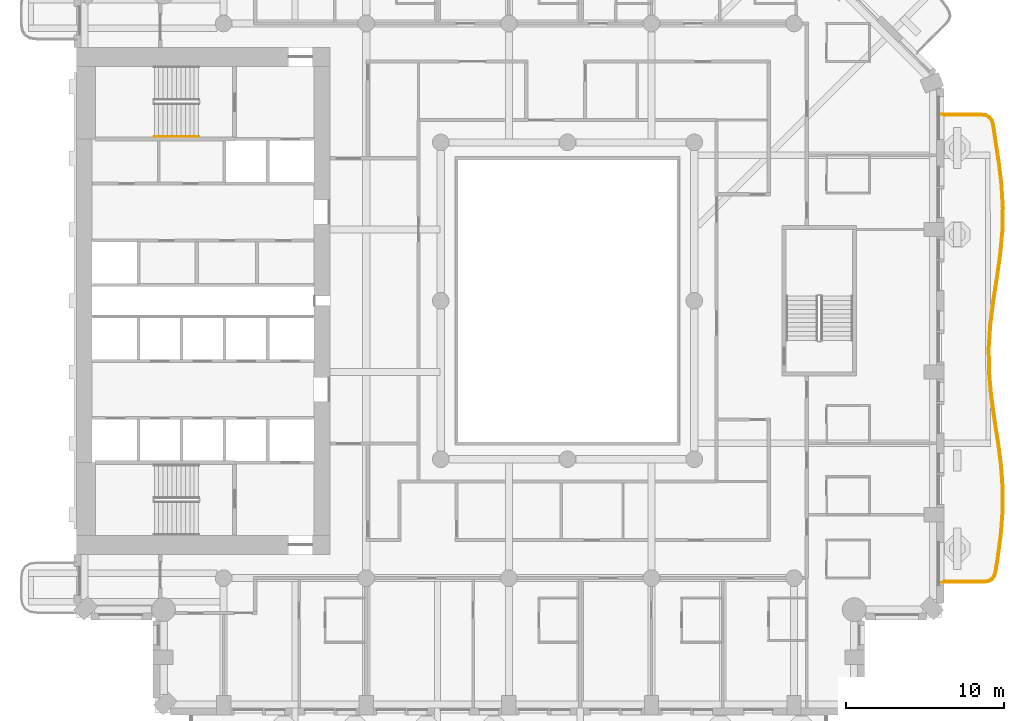
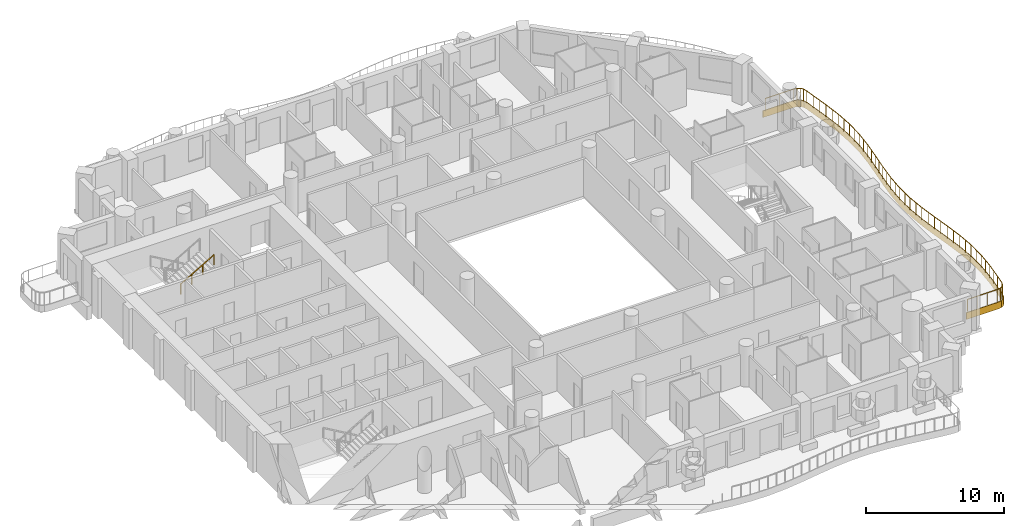
# One storey, part 16 of 20: 2 railings, 1 covering.
"""IFC4 building model written with IfcOpenShell, lengths in metres."""

from ifc_helpers import new_model, si_unit, direction, frame, origin, origin_2d, place, context, subcontext, project, spatial, polyline, rectangle, outline, extrude, material, layer, layer_set, type_object, element, save


model = new_model("IFC4")

# Units and contexts
model_context = context("Model", 3, precision=1e-05, world=origin(), true_north=direction((0.0, 1.0)))
body_context = subcontext(model_context, "Body", "Model", "MODEL_VIEW")
ifc_project = project(units=[si_unit("LENGTHUNIT", "METRE"), si_unit("AREAUNIT", "SQUARE_METRE"), si_unit("VOLUMEUNIT", "CUBIC_METRE"), si_unit("PLANEANGLEUNIT", "RADIAN"), si_unit("MASSUNIT", "GRAM", prefix="KILO")], contexts=[model_context])

# Site, building, storey
site_placement = place(None, origin())
site = spatial("IfcSite", under=ifc_project, at=site_placement, CompositionType="ELEMENT")
building_placement = place(site_placement, origin())
building = spatial("IfcBuilding", under=site, at=building_placement, Name="Cypress Arch Tower", CompositionType="ELEMENT")
storey_placement = place(building_placement, frame((0.0, 0.0, 134.699951171875)))
storey = spatial("IfcBuildingStorey", under=building, at=storey_placement, Name="L29", CompositionType="ELEMENT", Elevation=134.699951171875)

# Covering
ifc_material_1 = material(Name="White powder-coated aluminium fascia", Category="aluminium")
ifc_layer = layer(ifc_material_1, 0.050048828125)
ifc_layer_set = layer_set([ifc_layer], Name="Balcony fascia BF50")
covering_type = type_object("IfcCoveringType", Name="Balcony fascia BF50", PredefinedType="CLADDING", material=ifc_layer_set)
covering_placement = place(storey_placement, frame((0.0, 0.0, -0.599853515625)))
element("IfcCovering", 1, at=covering_placement, inside=storey, type_object=covering_type, Name="Balcony fascia L29-A06", PredefinedType="CLADDING", context=body_context, shape_type="SweptSolid", body=[
    extrude(outline(polyline([(27.12451171875, 11.800048828125), (27.4365234375, 11.7568359375), (27.681884765625, 11.622802734375), (27.849853515625, 11.3994140625), (27.9375, 11.096923828125), (28.056396484375, 10.282470703125), (28.282470703125, 8.806884765625), (28.461669921875, 7.329345703125), (28.546630859375, 5.850830078125), (28.515625, 4.3720703125), (28.376708984375, 2.89404296875), (28.166015625, 1.417724609375), (27.938232421875, -0.056884765625), (27.752685546875, -1.52978515625), (27.65673828125, -3.001220703125), (27.67578125, -4.472412109375), (27.804443359375, -5.9443359375), (28.009765625, -7.417724609375), (28.238525390625, -8.892822265625), (28.431640625, -10.369873046875), (28.53857421875, -11.848388671875), (28.531494140625, -13.3271484375), (28.412353515625, -14.805419921875), (28.212158203125, -16.2822265625), (28.08544921875, -17.097412109375), (27.994873046875, -17.399658203125), (27.82470703125, -17.622802734375), (27.577880859375, -17.7568359375), (27.26513671875, -17.800048828125), (24.60107421875, -17.800048828125), (24.60107421875, -17.75), (27.26171875, -17.75), (27.562255859375, -17.70849609375), (27.791259765625, -17.583984375), (27.949462890625, -17.376708984375), (28.03662109375, -17.086181640625), (28.16259765625, -16.27490234375), (28.362548828125, -14.800048828125), (28.4814453125, -13.324951171875), (28.488525390625, -11.85009765625), (28.3818359375, -10.375), (28.18896484375, -8.89990234375), (27.960205078125, -7.425048828125), (27.7548828125, -5.949951171875), (27.625732421875, -4.47509765625), (27.60693359375, -3.0), (27.702880859375, -1.52490234375), (27.888671875, -0.050048828125), (28.116455078125, 1.425048828125), (28.3271484375, 2.89990234375), (28.4658203125, 4.375), (28.49658203125, 5.85009765625), (28.41162109375, 7.324951171875), (28.23291015625, 8.800048828125), (28.0068359375, 10.27490234375), (27.888671875, 11.086181640625), (27.804443359375, 11.376708984375), (27.6484375, 11.583984375), (27.420654296875, 11.70849609375), (27.12109375, 11.75), (24.60107421875, 11.75), (24.60107421875, 11.800048828125), (27.12451171875, 11.800048828125)])), origin(), (0.0, 0.0, 1.0), 0.599853515625),
])

# Railings
ifc_material_2 = material(Name="Powder-coated steel posts and rods, 100 mm clear between rods", Category="steel")
railing_type_1 = type_object("IfcRailingType", Name="Balcony guard GR1100", PredefinedType="GUARDRAIL", material=ifc_material_2)
railing_1_placement = place(storey_placement, frame((24.75, 11.699951171875, 0.0)))
element("IfcRailing", 2, at=railing_1_placement, inside=storey, type_object=railing_type_1, Name="Balcony guard L29-A06", PredefinedType="GUARDRAIL", context=body_context, shape_type="SweptSolid", body=[
    extrude(rectangle(XDim=0.050048828125, YDim=0.050048828125, at=origin_2d()), frame((0.0, 0.0, 1.0751953125), z_axis=(1.0, 0.0, 0.0), x_axis=(0.0, 1.0, 0.0)), (0.0, 0.0, 1.0), 2.36767578125),
    extrude(rectangle(XDim=0.050048828125, YDim=0.050048828125, at=origin_2d()), frame((2.36767578125, 0.0, 1.0751953125), z_axis=(0.990530491706, -0.137292916793, 0.0), x_axis=(0.137292916793, 0.990530491706, 0.0)), (0.0, 0.0, 1.0), 0.289794921875),
    extrude(rectangle(XDim=0.050048828125, YDim=0.050048828125, at=origin_2d()), frame((2.65478515625, -0.039794921875, 1.0751953125), z_axis=(0.877739688135, -0.479137808854, 0.0), x_axis=(0.479137808854, 0.877739688135, 0.0)), (0.0, 0.0, 1.0), 0.239501953125),
    extrude(rectangle(XDim=0.050048828125, YDim=0.050048828125, at=origin_2d()), frame((2.864990234375, -0.154541015625, 1.0751953125), z_axis=(0.601303725627, -0.799020543883, 0.0), x_axis=(0.799020543883, 0.601303725627, 0.0)), (0.0, 0.0, 1.0), 0.239501953125),
    extrude(rectangle(XDim=0.050048828125, YDim=0.050048828125, at=origin_2d()), frame((3.009033203125, -0.345947265625, 1.0751953125), z_axis=(0.278058076541, -0.960564264415, 0.0), x_axis=(0.960564264415, 0.278058076541, 0.0)), (0.0, 0.0, 1.0), 0.289794921875),
    extrude(rectangle(XDim=0.050048828125, YDim=0.050048828125, at=origin_2d()), frame((3.089599609375, -0.624267578125, 1.0751953125), z_axis=(0.144392270177, -0.989520526474, 0.0), x_axis=(0.989520526474, 0.144392270177, 0.0)), (0.0, 0.0, 1.0), 0.816650390625),
    extrude(rectangle(XDim=0.050048828125, YDim=0.050048828125, at=origin_2d()), frame((3.20751953125, -1.432373046875, 1.0751953125), z_axis=(0.15156518738, -0.988447264134, 0.0), x_axis=(0.988447264134, 0.15156518738, 0.0)), (0.0, 0.0, 1.0), 1.49169921875),
    extrude(rectangle(XDim=0.050048828125, YDim=0.050048828125, at=origin_2d()), frame((3.43359375, -2.90673828125, 1.0751953125), z_axis=(0.120144591302, -0.992756403747, 0.0), x_axis=(0.992756403747, 0.120144591302, 0.0)), (0.0, 0.0, 1.0), 1.4833984375),
    extrude(rectangle(XDim=0.050048828125, YDim=0.050048828125, at=origin_2d()), frame((3.61181640625, -4.37939453125, 1.0751953125), z_axis=(0.057479062397, -0.998346712012, 0.0), x_axis=(0.998346712012, 0.057479062397, 0.0)), (0.0, 0.0, 1.0), 1.473876953125),
    extrude(rectangle(XDim=0.050048828125, YDim=0.050048828125, at=origin_2d()), frame((3.696533203125, -5.850830078125, 1.0751953125), z_axis=(-0.020904823309, -0.999781470304, 0.0), x_axis=(0.999781470304, -0.020904823309, 0.0)), (0.0, 0.0, 1.0), 1.471435546875),
    extrude(rectangle(XDim=0.050048828125, YDim=0.050048828125, at=origin_2d()), frame((3.665771484375, -7.322021484375, 1.0751953125), z_axis=(-0.093616899337, -0.995608294541, 0.0), x_axis=(0.995608294541, -0.093616899337, 0.0)), (0.0, 0.0, 1.0), 1.478759765625),
    extrude(rectangle(XDim=0.050048828125, YDim=0.050048828125, at=origin_2d()), frame((3.52734375, -8.794189453125, 1.0751953125), z_axis=(-0.141237630055, -0.989975722862, 0.0), x_axis=(0.989975722862, -0.141237630055, 0.0)), (0.0, 0.0, 1.0), 1.48828125),
    extrude(rectangle(XDim=0.050048828125, YDim=0.050048828125, at=origin_2d()), frame((3.317138671875, -10.267578125, 1.0751953125), z_axis=(-0.152745334218, -0.988265583168, 0.0), x_axis=(0.988265583168, -0.152745334218, 0.0)), (0.0, 0.0, 1.0), 1.492919921875),
    extrude(rectangle(XDim=0.050048828125, YDim=0.050048828125, at=origin_2d()), frame((3.089111328125, -11.742919921875, 1.0751953125), z_axis=(-0.124942807228, -0.992163945587, 0.0), x_axis=(0.992163945587, -0.124942807228, 0.0)), (0.0, 0.0, 1.0), 1.489013671875),
    extrude(rectangle(XDim=0.050048828125, YDim=0.050048828125, at=origin_2d()), frame((2.903076171875, -13.22021484375, 1.0751953125), z_axis=(-0.064922191166, -0.997890329192, 0.0), x_axis=(0.997890329192, -0.064922191166, 0.0)), (0.0, 0.0, 1.0), 1.481689453125),
    extrude(rectangle(XDim=0.050048828125, YDim=0.050048828125, at=origin_2d()), frame((2.806884765625, -14.69873046875, 1.0751953125), z_axis=(0.012876594563, -0.999917093219, 0.0), x_axis=(0.999917093219, 0.012876594563, 0.0)), (0.0, 0.0, 1.0), 1.47900390625),
    extrude(rectangle(XDim=0.050048828125, YDim=0.050048828125, at=origin_2d()), frame((2.825927734375, -16.177490234375, 1.0751953125), z_axis=(0.087048555173, -0.996204069979, 0.0), x_axis=(0.996204069979, 0.087048555173, 0.0)), (0.0, 0.0, 1.0), 1.483642578125),
    extrude(rectangle(XDim=0.050048828125, YDim=0.050048828125, at=origin_2d()), frame((2.955078125, -17.655517578125, 1.0751953125), z_axis=(0.138027952612, -0.990428333751, 0.0), x_axis=(0.990428333751, 0.138027952612, 0.0)), (0.0, 0.0, 1.0), 1.490966796875),
    extrude(rectangle(XDim=0.050048828125, YDim=0.050048828125, at=origin_2d()), frame((3.160888671875, -19.13232421875, 1.0751953125), z_axis=(0.153298767153, -0.988179886452, 0.0), x_axis=(0.988179886452, 0.153298767153, 0.0)), (0.0, 0.0, 1.0), 1.4921875),
    extrude(rectangle(XDim=0.050048828125, YDim=0.050048828125, at=origin_2d()), frame((3.3896484375, -20.60693359375, 1.0751953125), z_axis=(0.129493740251, -0.991580239434, 0.0), x_axis=(0.991580239434, 0.129493740251, 0.0)), (0.0, 0.0, 1.0), 1.485595703125),
    extrude(rectangle(XDim=0.050048828125, YDim=0.050048828125, at=origin_2d()), frame((3.58203125, -22.080078125, 1.0751953125), z_axis=(0.072140674795, -0.997394467119, 0.0), x_axis=(0.997394467119, 0.072140674795, 0.0)), (0.0, 0.0, 1.0), 1.4755859375),
    extrude(rectangle(XDim=0.050048828125, YDim=0.050048828125, at=origin_2d()), frame((3.6884765625, -23.5517578125, 1.0751953125), z_axis=(-0.004813222253, -0.999988416379, 0.0), x_axis=(0.999988416379, -0.004813222253, 0.0)), (0.0, 0.0, 1.0), 1.470947265625),
    extrude(rectangle(XDim=0.050048828125, YDim=0.050048828125, at=origin_2d()), frame((3.681396484375, -25.022705078125, 1.0751953125), z_axis=(-0.080185483578, -0.996779959782, 0.0), x_axis=(0.996779959782, -0.080185483578, 0.0)), (0.0, 0.0, 1.0), 1.4765625),
    extrude(rectangle(XDim=0.050048828125, YDim=0.050048828125, at=origin_2d()), frame((3.56298828125, -26.49462890625, 1.0751953125), z_axis=(-0.134336340635, -0.990935793876, 0.0), x_axis=(0.990935793876, -0.134336340635, 0.0)), (0.0, 0.0, 1.0), 1.486572265625),
    extrude(rectangle(XDim=0.050048828125, YDim=0.050048828125, at=origin_2d()), frame((3.36328125, -27.9677734375, 1.0751953125), z_axis=(-0.153583825223, -0.988135622589, 0.0), x_axis=(0.988135622589, -0.153583825223, 0.0)), (0.0, 0.0, 1.0), 0.817138671875),
    extrude(rectangle(XDim=0.050048828125, YDim=0.050048828125, at=origin_2d()), frame((3.23779296875, -28.775146484375, 1.0751953125), z_axis=(-0.287347885566, -0.957826285221, 0.0), x_axis=(0.957826285221, -0.287347885566, 0.0)), (0.0, 0.0, 1.0), 0.29052734375),
    extrude(rectangle(XDim=0.050048828125, YDim=0.050048828125, at=origin_2d()), frame((3.154296875, -29.053466796875, 1.0751953125), z_axis=(-0.606622792633, -0.794989803367, 0.0), x_axis=(0.794989803367, -0.606622792633, 0.0)), (0.0, 0.0, 1.0), 0.240966796875),
    extrude(rectangle(XDim=0.050048828125, YDim=0.050048828125, at=origin_2d()), frame((3.008056640625, -29.2451171875, 1.0751953125), z_axis=(-0.878707691541, -0.477360233813, 0.0), x_axis=(0.477360233813, -0.878707691541, 0.0)), (0.0, 0.0, 1.0), 0.240966796875),
    extrude(rectangle(XDim=0.050048828125, YDim=0.050048828125, at=origin_2d()), frame((2.79638671875, -29.360107421875, 1.0751953125), z_axis=(-0.990593681499, -0.136836245834, 0.0), x_axis=(0.136836245834, -0.990593681499, 0.0)), (0.0, 0.0, 1.0), 0.290771484375),
    extrude(rectangle(XDim=0.050048828125, YDim=0.050048828125, at=origin_2d()), frame((2.50830078125, -29.39990234375, 1.0751953125), z_axis=(-1.0, 0.0, 0.0), x_axis=(0.0, -1.0, 0.0)), (0.0, 0.0, 1.0), 2.50830078125),
    extrude(rectangle(XDim=0.0400390625, YDim=0.0400390625, at=origin_2d()), origin(), (0.0, 0.0, 1.0), 1.050048828125),
    extrude(rectangle(XDim=0.0400390625, YDim=0.0400390625, at=origin_2d()), frame((1.183837890625, 0.0, 0.0)), (0.0, 0.0, 1.0), 1.050048828125),
    extrude(rectangle(XDim=0.0400390625, YDim=0.0400390625, at=origin_2d()), frame((2.36767578125, 0.0, 0.0)), (0.0, 0.0, 1.0), 1.050048828125),
    extrude(rectangle(XDim=0.0400390625, YDim=0.0400390625, at=origin_2d()), frame((2.65478515625, -0.039794921875, 0.0)), (0.0, 0.0, 1.0), 1.050048828125),
    extrude(rectangle(XDim=0.0400390625, YDim=0.0400390625, at=origin_2d()), frame((2.864990234375, -0.154541015625, 0.0)), (0.0, 0.0, 1.0), 1.050048828125),
    extrude(rectangle(XDim=0.0400390625, YDim=0.0400390625, at=origin_2d()), frame((3.009033203125, -0.345947265625, 0.0)), (0.0, 0.0, 1.0), 1.050048828125),
    extrude(rectangle(XDim=0.0400390625, YDim=0.0400390625, at=origin_2d()), frame((3.089599609375, -0.624267578125, 0.0)), (0.0, 0.0, 1.0), 1.050048828125),
    extrude(rectangle(XDim=0.0400390625, YDim=0.0400390625, at=origin_2d()), frame((3.20751953125, -1.432373046875, 0.0)), (0.0, 0.0, 1.0), 1.050048828125),
    extrude(rectangle(XDim=0.0400390625, YDim=0.0400390625, at=origin_2d()), frame((3.320556640625, -2.16943359375, 0.0)), (0.0, 0.0, 1.0), 1.050048828125),
    extrude(rectangle(XDim=0.0400390625, YDim=0.0400390625, at=origin_2d()), frame((3.43359375, -2.90673828125, 0.0)), (0.0, 0.0, 1.0), 1.050048828125),
    extrude(rectangle(XDim=0.0400390625, YDim=0.0400390625, at=origin_2d()), frame((3.522705078125, -3.64306640625, 0.0)), (0.0, 0.0, 1.0), 1.050048828125),
    extrude(rectangle(XDim=0.0400390625, YDim=0.0400390625, at=origin_2d()), frame((3.61181640625, -4.37939453125, 0.0)), (0.0, 0.0, 1.0), 1.050048828125),
    extrude(rectangle(XDim=0.0400390625, YDim=0.0400390625, at=origin_2d()), frame((3.654296875, -5.115234375, 0.0)), (0.0, 0.0, 1.0), 1.050048828125),
    extrude(rectangle(XDim=0.0400390625, YDim=0.0400390625, at=origin_2d()), frame((3.696533203125, -5.850830078125, 0.0)), (0.0, 0.0, 1.0), 1.050048828125),
    extrude(rectangle(XDim=0.0400390625, YDim=0.0400390625, at=origin_2d()), frame((3.68115234375, -6.58642578125, 0.0)), (0.0, 0.0, 1.0), 1.050048828125),
    extrude(rectangle(XDim=0.0400390625, YDim=0.0400390625, at=origin_2d()), frame((3.665771484375, -7.322021484375, 0.0)), (0.0, 0.0, 1.0), 1.050048828125),
    extrude(rectangle(XDim=0.0400390625, YDim=0.0400390625, at=origin_2d()), frame((3.5966796875, -8.05810546875, 0.0)), (0.0, 0.0, 1.0), 1.050048828125),
    extrude(rectangle(XDim=0.0400390625, YDim=0.0400390625, at=origin_2d()), frame((3.52734375, -8.794189453125, 0.0)), (0.0, 0.0, 1.0), 1.050048828125),
    extrude(rectangle(XDim=0.0400390625, YDim=0.0400390625, at=origin_2d()), frame((3.42236328125, -9.53076171875, 0.0)), (0.0, 0.0, 1.0), 1.050048828125),
    extrude(rectangle(XDim=0.0400390625, YDim=0.0400390625, at=origin_2d()), frame((3.317138671875, -10.267578125, 0.0)), (0.0, 0.0, 1.0), 1.050048828125),
    extrude(rectangle(XDim=0.0400390625, YDim=0.0400390625, at=origin_2d()), frame((3.203125, -11.00537109375, 0.0)), (0.0, 0.0, 1.0), 1.050048828125),
    extrude(rectangle(XDim=0.0400390625, YDim=0.0400390625, at=origin_2d()), frame((3.089111328125, -11.742919921875, 0.0)), (0.0, 0.0, 1.0), 1.050048828125),
    extrude(rectangle(XDim=0.0400390625, YDim=0.0400390625, at=origin_2d()), frame((2.99609375, -12.4814453125, 0.0)), (0.0, 0.0, 1.0), 1.050048828125),
    extrude(rectangle(XDim=0.0400390625, YDim=0.0400390625, at=origin_2d()), frame((2.903076171875, -13.22021484375, 0.0)), (0.0, 0.0, 1.0), 1.050048828125),
    extrude(rectangle(XDim=0.0400390625, YDim=0.0400390625, at=origin_2d()), frame((2.85498046875, -13.95947265625, 0.0)), (0.0, 0.0, 1.0), 1.050048828125),
    extrude(rectangle(XDim=0.0400390625, YDim=0.0400390625, at=origin_2d()), frame((2.806884765625, -14.69873046875, 0.0)), (0.0, 0.0, 1.0), 1.050048828125),
    extrude(rectangle(XDim=0.0400390625, YDim=0.0400390625, at=origin_2d()), frame((2.81640625, -15.43798828125, 0.0)), (0.0, 0.0, 1.0), 1.050048828125),
    extrude(rectangle(XDim=0.0400390625, YDim=0.0400390625, at=origin_2d()), frame((2.825927734375, -16.177490234375, 0.0)), (0.0, 0.0, 1.0), 1.050048828125),
    extrude(rectangle(XDim=0.0400390625, YDim=0.0400390625, at=origin_2d()), frame((2.890625, -16.91650390625, 0.0)), (0.0, 0.0, 1.0), 1.050048828125),
    extrude(rectangle(XDim=0.0400390625, YDim=0.0400390625, at=origin_2d()), frame((2.955078125, -17.655517578125, 0.0)), (0.0, 0.0, 1.0), 1.050048828125),
    extrude(rectangle(XDim=0.0400390625, YDim=0.0400390625, at=origin_2d()), frame((3.05810546875, -18.39404296875, 0.0)), (0.0, 0.0, 1.0), 1.050048828125),
    extrude(rectangle(XDim=0.0400390625, YDim=0.0400390625, at=origin_2d()), frame((3.160888671875, -19.13232421875, 0.0)), (0.0, 0.0, 1.0), 1.050048828125),
    extrude(rectangle(XDim=0.0400390625, YDim=0.0400390625, at=origin_2d()), frame((3.275390625, -19.86962890625, 0.0)), (0.0, 0.0, 1.0), 1.050048828125),
    extrude(rectangle(XDim=0.0400390625, YDim=0.0400390625, at=origin_2d()), frame((3.3896484375, -20.60693359375, 0.0)), (0.0, 0.0, 1.0), 1.050048828125),
    extrude(rectangle(XDim=0.0400390625, YDim=0.0400390625, at=origin_2d()), frame((3.48583984375, -21.343505859375, 0.0)), (0.0, 0.0, 1.0), 1.050048828125),
    extrude(rectangle(XDim=0.0400390625, YDim=0.0400390625, at=origin_2d()), frame((3.58203125, -22.080078125, 0.0)), (0.0, 0.0, 1.0), 1.050048828125),
    extrude(rectangle(XDim=0.0400390625, YDim=0.0400390625, at=origin_2d()), frame((3.63525390625, -22.81591796875, 0.0)), (0.0, 0.0, 1.0), 1.050048828125),
    extrude(rectangle(XDim=0.0400390625, YDim=0.0400390625, at=origin_2d()), frame((3.6884765625, -23.5517578125, 0.0)), (0.0, 0.0, 1.0), 1.050048828125),
    extrude(rectangle(XDim=0.0400390625, YDim=0.0400390625, at=origin_2d()), frame((3.68505859375, -24.287109375, 0.0)), (0.0, 0.0, 1.0), 1.050048828125),
    extrude(rectangle(XDim=0.0400390625, YDim=0.0400390625, at=origin_2d()), frame((3.681396484375, -25.022705078125, 0.0)), (0.0, 0.0, 1.0), 1.050048828125),
    extrude(rectangle(XDim=0.0400390625, YDim=0.0400390625, at=origin_2d()), frame((3.6220703125, -25.7587890625, 0.0)), (0.0, 0.0, 1.0), 1.050048828125),
    extrude(rectangle(XDim=0.0400390625, YDim=0.0400390625, at=origin_2d()), frame((3.56298828125, -26.49462890625, 0.0)), (0.0, 0.0, 1.0), 1.050048828125),
    extrude(rectangle(XDim=0.0400390625, YDim=0.0400390625, at=origin_2d()), frame((3.463134765625, -27.231201171875, 0.0)), (0.0, 0.0, 1.0), 1.050048828125),
    extrude(rectangle(XDim=0.0400390625, YDim=0.0400390625, at=origin_2d()), frame((3.36328125, -27.9677734375, 0.0)), (0.0, 0.0, 1.0), 1.050048828125),
    extrude(rectangle(XDim=0.0400390625, YDim=0.0400390625, at=origin_2d()), frame((3.23779296875, -28.775146484375, 0.0)), (0.0, 0.0, 1.0), 1.050048828125),
    extrude(rectangle(XDim=0.0400390625, YDim=0.0400390625, at=origin_2d()), frame((3.154296875, -29.053466796875, 0.0)), (0.0, 0.0, 1.0), 1.050048828125),
    extrude(rectangle(XDim=0.0400390625, YDim=0.0400390625, at=origin_2d()), frame((3.008056640625, -29.2451171875, 0.0)), (0.0, 0.0, 1.0), 1.050048828125),
    extrude(rectangle(XDim=0.0400390625, YDim=0.0400390625, at=origin_2d()), frame((2.79638671875, -29.360107421875, 0.0)), (0.0, 0.0, 1.0), 1.050048828125),
    extrude(rectangle(XDim=0.0400390625, YDim=0.0400390625, at=origin_2d()), frame((2.50830078125, -29.39990234375, 0.0)), (0.0, 0.0, 1.0), 1.050048828125),
    extrude(rectangle(XDim=0.0400390625, YDim=0.0400390625, at=origin_2d()), frame((1.672119140625, -29.39990234375, 0.0)), (0.0, 0.0, 1.0), 1.050048828125),
    extrude(rectangle(XDim=0.0400390625, YDim=0.0400390625, at=origin_2d()), frame((0.836181640625, -29.39990234375, 0.0)), (0.0, 0.0, 1.0), 1.050048828125),
    extrude(rectangle(XDim=0.0400390625, YDim=0.0400390625, at=origin_2d()), frame((0.0, -29.39990234375, 0.0)), (0.0, 0.0, 1.0), 1.050048828125),
])
ifc_material_3 = material(Name="Black powder-coated steel square bar 48 mm", Category="steel")
railing_type_2 = type_object("IfcRailingType", Name="Stair handrail HR1", PredefinedType="HANDRAIL", material=ifc_material_3)
railing_2_placement = place(storey_placement, frame((-25.074951171875, 10.375, 1.963623046875)))
element("IfcRailing", 3, at=railing_2_placement, inside=storey, type_object=railing_type_2, Name="L29 B stair handrail 2", PredefinedType="HANDRAIL", context=body_context, shape_type="SweptSolid", body=[
    extrude(rectangle(XDim=0.048095703125, YDim=0.048095703125, at=origin_2d()), frame((0.0, 0.0, 0.8759765625), z_axis=(0.863360870873, 0.0, 0.504586966384), x_axis=(0.0, 1.0, 0.0)), (0.0, 0.0, 1.0), 3.2431640625),
    extrude(rectangle(XDim=0.0419921875, YDim=0.0419921875, at=origin_2d()), origin(), (0.0, 0.0, 1.0), 0.851806640625),
    extrude(rectangle(XDim=0.0419921875, YDim=0.0419921875, at=origin_2d()), frame((0.933349609375, 0.0, 0.54541015625)), (0.0, 0.0, 1.0), 0.851806640625),
    extrude(rectangle(XDim=0.0419921875, YDim=0.0419921875, at=origin_2d()), frame((1.86669921875, 0.0, 1.091064453125)), (0.0, 0.0, 1.0), 0.851806640625),
    extrude(rectangle(XDim=0.0419921875, YDim=0.0419921875, at=origin_2d()), frame((2.800048828125, 0.0, 1.636474609375)), (0.0, 0.0, 1.0), 0.851806640625),
])

save(model, "model.ifc")
